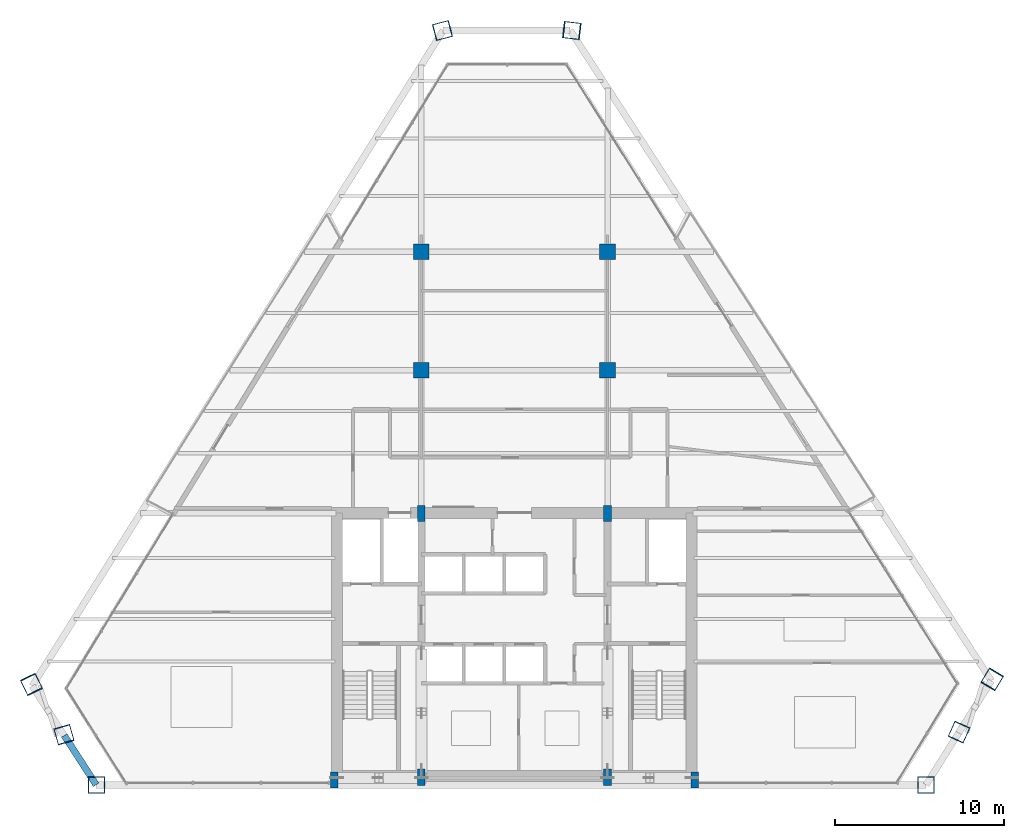
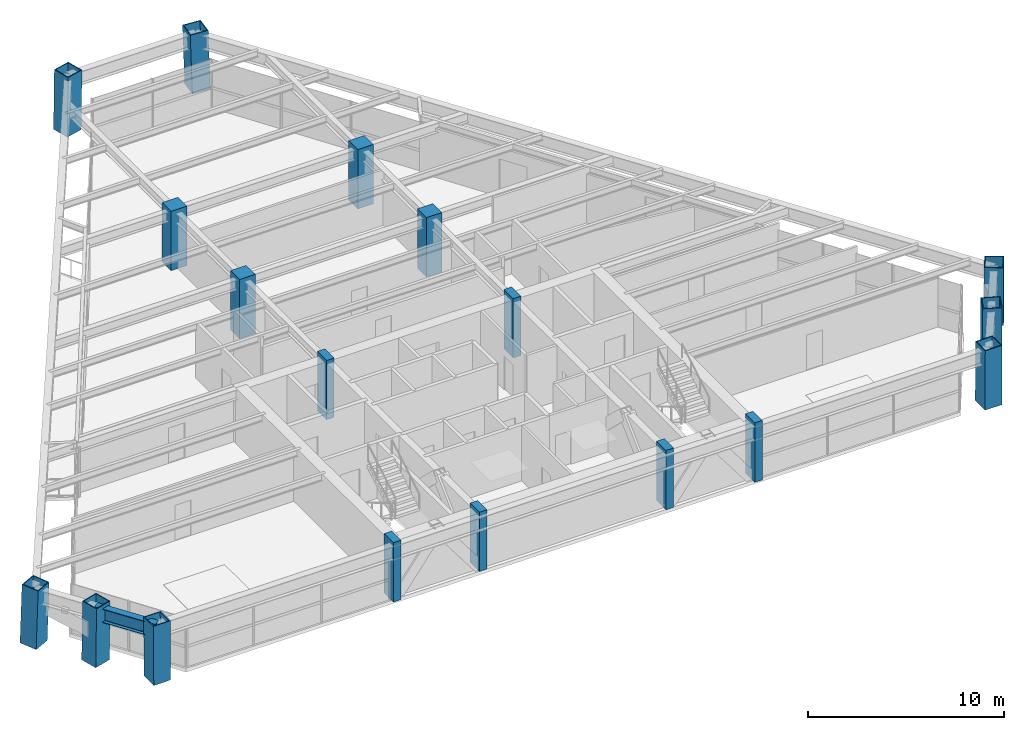
# One storey, part 1 of 13: 18 columns, 1 beam.
"""IFC4 building model written with IfcOpenShell, lengths in metres."""

from ifc_helpers import new_model, si_unit, direction, frame, origin, origin_2d, place, context, subcontext, project, spatial, rectangle, hollow_rectangle, i_section, extrude, source, transform, mapped, material, material_profile, profile_set, type_object, element, save


model = new_model("IFC4")

# Units and contexts
model_context = context("Model", 3, precision=1e-05, world=origin(), true_north=direction((0.0, 1.0)))
body_context = subcontext(model_context, "Body", "Model", "MODEL_VIEW")
ifc_project = project(units=[si_unit("LENGTHUNIT", "METRE"), si_unit("AREAUNIT", "SQUARE_METRE"), si_unit("VOLUMEUNIT", "CUBIC_METRE"), si_unit("PLANEANGLEUNIT", "RADIAN"), si_unit("MASSUNIT", "GRAM", prefix="KILO")], contexts=[model_context])

# Site, building, storey
site_placement = place(None, origin())
site = spatial("IfcSite", under=ifc_project, at=site_placement, CompositionType="ELEMENT")
building_placement = place(site_placement, origin())
building = spatial("IfcBuilding", under=site, at=building_placement, Name="Varnakhor Terracotta Tower", CompositionType="ELEMENT")
storey_placement = place(building_placement, frame((0.0, 0.0, 200.60009765625)))
storey = spatial("IfcBuildingStorey", under=building, at=storey_placement, Name="L51", CompositionType="ELEMENT", Elevation=200.60009765625)

# Columns
ifc_material_1 = material(Name="Concrete C50/60", Category="concrete")
ifc_material_profile_1 = material_profile(ifc_material_1, rectangle(XDim=0.449951171875, YDim=0.949951171875, at=origin_2d()), Name="RC PILASTER 950x450")
ifc_profile_set_1 = profile_set([ifc_material_profile_1], Name="Concrete C50/60")
column_type_1 = type_object("IfcColumnType", Name="COL-PIL-950x450", PredefinedType="PILASTER", material=ifc_profile_set_1)
shared_shape_1 = source(origin(), body_context, "Body", "SweptSolid", [
    extrude(rectangle(XDim=0.449951171875, YDim=0.949951171875, at=origin_2d()), origin(), (0.0, 0.0, 1.0), 3.699951171875),
])
for number, where, z_axis, x_axis, name in (
    (1, (-10.64990234375, 0.300048828125, 0.0), (0.0, 0.0, 1.0), (1.0, 0.0, 0.0), "L51 Core Pilaster CP1"),
    (2, (-5.5, 0.449951171875, 0.0), (0.0, 0.0, 1.0), (1.0, 0.0, 0.0), "L51 Core Pilaster CP2"),
    (3, (5.5, 0.449951171875, 0.0), (0.0, 0.0, 1.0), (1.0, 0.0, 0.0), "L51 Core Pilaster CP3"),
    (4, (10.64990234375, 0.300048828125, 0.0), (0.0, 0.0, 1.0), (1.0, 0.0, 0.0), "L51 Core Pilaster CP4"),
    (5, (-5.5, 16.050048828125, 0.0), (0.0, 0.0, 1.0), (1.0, 0.0, 0.0), "L51 Core Pilaster CP5"),
    (6, (5.5, 16.050048828125, 0.0), (0.0, 0.0, 1.0), (1.0, 0.0, 0.0), "L51 Core Pilaster CP6"),
):
    element("IfcColumn", number, at=place(storey_placement, frame(where, z_axis=z_axis, x_axis=x_axis)), inside=storey, type_object=column_type_1, Name=name, PredefinedType="PILASTER", context=body_context, shape_type="MappedRepresentation", body=[
        mapped(shared_shape_1, transform((0.0, 0.0, 0.0), scale=1.0)),
    ])
ifc_material_profile_2 = material_profile(ifc_material_1, rectangle(XDim=0.919921875, YDim=0.919921875, at=origin_2d()), Name="RC 920x920")
ifc_profile_set_2 = profile_set([ifc_material_profile_2], Name="Concrete C50/60")
column_type_2 = type_object("IfcColumnType", Name="COL-RC-920", PredefinedType="COLUMN", material=ifc_profile_set_2)
shared_shape_2 = source(origin(), body_context, "Body", "SweptSolid", [
    extrude(rectangle(XDim=0.919921875, YDim=0.919921875, at=origin_2d()), origin(), (0.0, 0.0, 1.0), 3.699951171875),
])
for number, where, z_axis, x_axis, name in (
    (7, (-5.5, 24.5, 0.0), (0.0, 0.0, 1.0), (1.0, 0.0, 0.0), "L51 Interior Tower Column IC1"),
    (8, (5.5, 24.5, 0.0), (0.0, 0.0, 1.0), (1.0, 0.0, 0.0), "L51 Interior Tower Column IC2"),
    (9, (-5.5, 31.5, 0.0), (0.0, 0.0, 1.0), (1.0, 0.0, 0.0), "L51 Interior Tower Column IC3"),
    (10, (5.5, 31.5, 0.0), (0.0, 0.0, 1.0), (1.0, 0.0, 0.0), "L51 Interior Tower Column IC4"),
):
    element("IfcColumn", number, at=place(storey_placement, frame(where, z_axis=z_axis, x_axis=x_axis)), inside=storey, type_object=column_type_2, Name=name, PredefinedType="COLUMN", context=body_context, shape_type="MappedRepresentation", body=[
        mapped(shared_shape_2, transform((0.0, 0.0, 0.0), scale=1.0)),
    ])
ifc_material_2 = material(Name="Steel S460", Category="steel")
ifc_material_profile_3 = material_profile(ifc_material_2, hollow_rectangle(XDim=1.0, YDim=1.0, WallThickness=0.050048828125, at=origin_2d()), Name="BOX 1000x1000x50")
ifc_profile_set_3 = profile_set([ifc_material_profile_3], Name="Steel S460")
column_type_3 = type_object("IfcColumnType", Name="COL-MEGA-1000", PredefinedType="COLUMN", material=ifc_profile_set_3)
shared_shape_3 = source(origin(), body_context, "Body", "SweptSolid", [
    extrude(hollow_rectangle(XDim=1.0, YDim=1.0, WallThickness=0.050048828125, at=origin_2d()), origin(), (0.0, 0.0, 1.0), 3.691162109375),
])
for number, where, z_axis, x_axis, name in (
    (11, (-24.6953125, 0.0, 0.00439453125), (-0.006018807573, 0.0, 0.999981886814), (0.0, -1.0, 0.0), "L51 Perimeter Mega-Column M1"),
    (12, (24.310791015625, 0.0, 0.00439453125), (0.004233046273, 0.0, 0.999991040619), (0.0, 1.0, 0.0), "L51 Perimeter Mega-Column M2"),
):
    element("IfcColumn", number, at=place(storey_placement, frame(where, z_axis=z_axis, x_axis=x_axis)), inside=storey, type_object=column_type_3, Name=name, PredefinedType="COLUMN", context=body_context, shape_type="MappedRepresentation", body=[
        mapped(shared_shape_3, transform((0.0, 0.0, 0.0), scale=1.0)),
    ])
shared_shape_4 = source(origin(), body_context, "Body", "SweptSolid", [
    extrude(hollow_rectangle(XDim=1.0, YDim=1.0, WallThickness=0.050048828125, at=origin_2d()), origin(), (0.0, 0.0, 1.0), 3.691650390625),
])
for number, where, z_axis, x_axis, name in (
    (13, (26.27783203125, 3.1279296875, 0.00439453125), (-0.006481100348, -0.014417141591, 0.999875062879), (0.912078006771, -0.41001671864, 0.0), "L51 Perimeter Mega-Column M3"),
    (14, (-4.26318359375, 44.580078125, 0.00439453125), (0.014549583274, 0.003769664757, 0.999887043247), (-0.250809450678, 0.968036476302, 0.0), "L51 Perimeter Mega-Column M6"),
    (15, (-26.625, 2.977294921875, 0.00439453125), (0.004364825843, -0.015144623, 0.99987578663), (0.960888031149, 0.276937161816, 0.0), "L51 Perimeter Mega-Column M8"),
):
    element("IfcColumn", number, at=place(storey_placement, frame(where, z_axis=z_axis, x_axis=x_axis)), inside=storey, type_object=column_type_3, Name=name, PredefinedType="COLUMN", context=body_context, shape_type="MappedRepresentation", body=[
        mapped(shared_shape_4, transform((0.0, 0.0, 0.0), scale=1.0)),
    ])
shared_shape_5 = source(origin(), body_context, "Body", "SweptSolid", [
    extrude(hollow_rectangle(XDim=1.0, YDim=1.0, WallThickness=0.050048828125, at=origin_2d()), origin(), (0.0, 0.0, 1.0), 3.693359375),
])
for number, where, z_axis, x_axis, name in (
    (16, (28.2451171875, 6.256103515625, 0.00439453125), (-0.017319356055, -0.02888762823, 0.999432611456), (0.857666049717, -0.514207105322, 0.0), "L51 Perimeter Mega-Column M4"),
    (17, (-28.55419921875, 5.954833984375, 0.00439453125), (0.014609048717, -0.030407974705, 0.999430803393), (0.901370114316, 0.433049554921, 0.0), "L51 Perimeter Mega-Column M7"),
):
    element("IfcColumn", number, at=place(storey_placement, frame(where, z_axis=z_axis, x_axis=x_axis)), inside=storey, type_object=column_type_3, Name=name, PredefinedType="COLUMN", context=body_context, shape_type="MappedRepresentation", body=[
        mapped(shared_shape_5, transform((0.0, 0.0, 0.0), scale=1.0)),
    ])
shared_shape_6 = source(origin(), body_context, "Body", "SweptSolid", [
    extrude(hollow_rectangle(XDim=1.0, YDim=1.0, WallThickness=0.050048828125, at=origin_2d()), origin(), (0.0, 0.0, 1.0), 3.693115234375),
])
column_placement = place(storey_placement, frame((3.40966796875, 44.580078125, 0.00439453125), z_axis=(-0.031930041043, 0.003768141489, 0.999483003151), x_axis=(-0.117199132067, -0.993108434886, 0.0)))
element("IfcColumn", 18, at=column_placement, inside=storey, type_object=column_type_3, Name="L51 Perimeter Mega-Column M5", PredefinedType="COLUMN", context=body_context, shape_type="MappedRepresentation", body=[
    mapped(shared_shape_6, transform((0.0, 0.0, 0.0), scale=1.0)),
])

# Beam
ifc_material_3 = material(Name="Steel S355", Category="steel")
ifc_material_profile_4 = material_profile(ifc_material_3, i_section(OverallWidth=0.39990234375, OverallDepth=0.85498046875, WebThickness=0.01806640625, FlangeThickness=0.029052734375, FilletRadius=0.01806640625, at=origin_2d()), Name="W33X201")
ifc_profile_set_4 = profile_set([ifc_material_profile_4], Name="Steel S355")
beam_type = type_object("IfcBeamType", Name="BM-W33X201", PredefinedType="BEAM", material=ifc_profile_set_4)
shared_shape_7 = source(origin(), body_context, "Body", "SweptSolid", [
    extrude(i_section(OverallWidth=0.39990234375, OverallDepth=0.85498046875, WebThickness=0.01806640625, FlangeThickness=0.029052734375, FilletRadius=0.01806640625, at=origin_2d()), origin(), (0.0, 0.0, 1.0), 3.480224609375),
])
beam_placement = place(storey_placement, frame((-26.60888671875, 2.92138671875, 3.04248046875), z_axis=(0.543463597368, -0.83943273604, 0.0), x_axis=(0.83943273604, 0.543463597368, 0.0)))
element("IfcBeam", 19, at=beam_placement, inside=storey, type_object=beam_type, Name="L51 Perimeter Spandrel 8", PredefinedType="BEAM", context=body_context, shape_type="MappedRepresentation", body=[
    mapped(shared_shape_7, transform((0.0, 0.0, 0.0), scale=1.0)),
])

save(model, "model.ifc")
